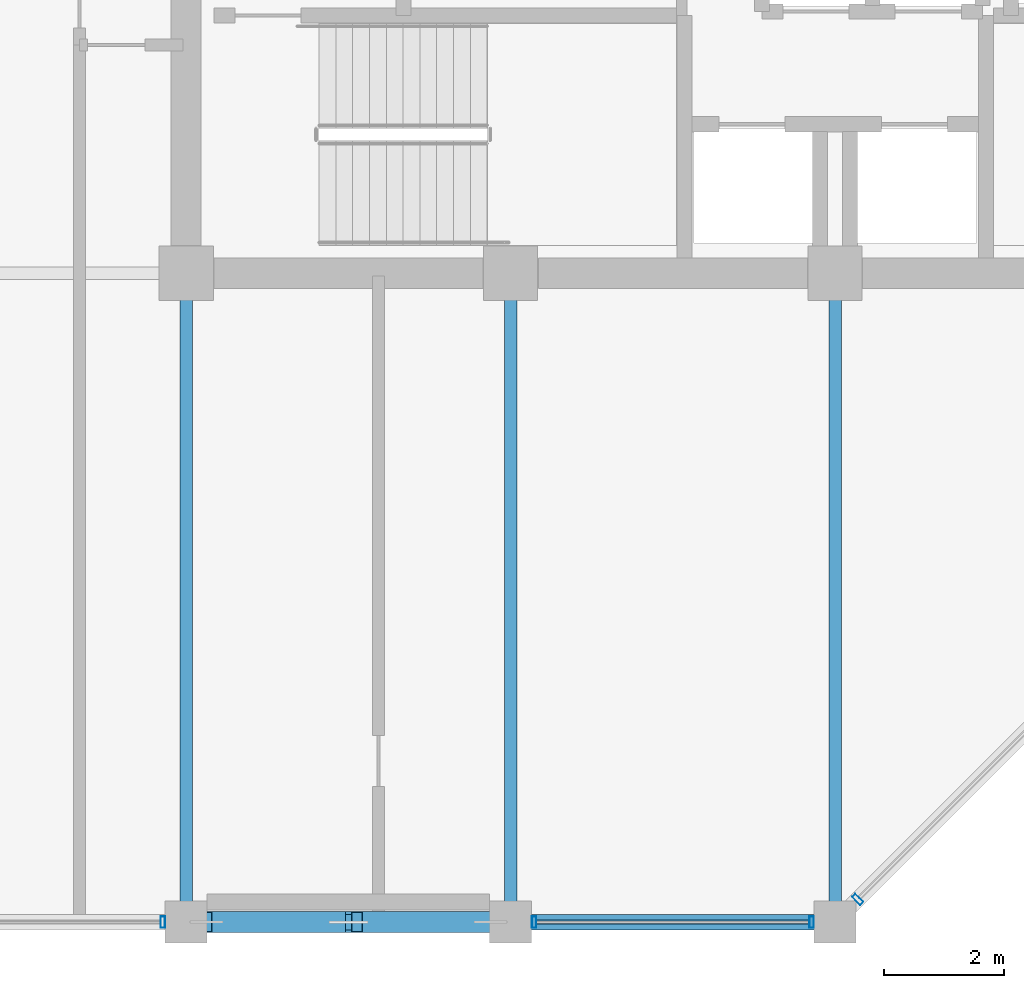
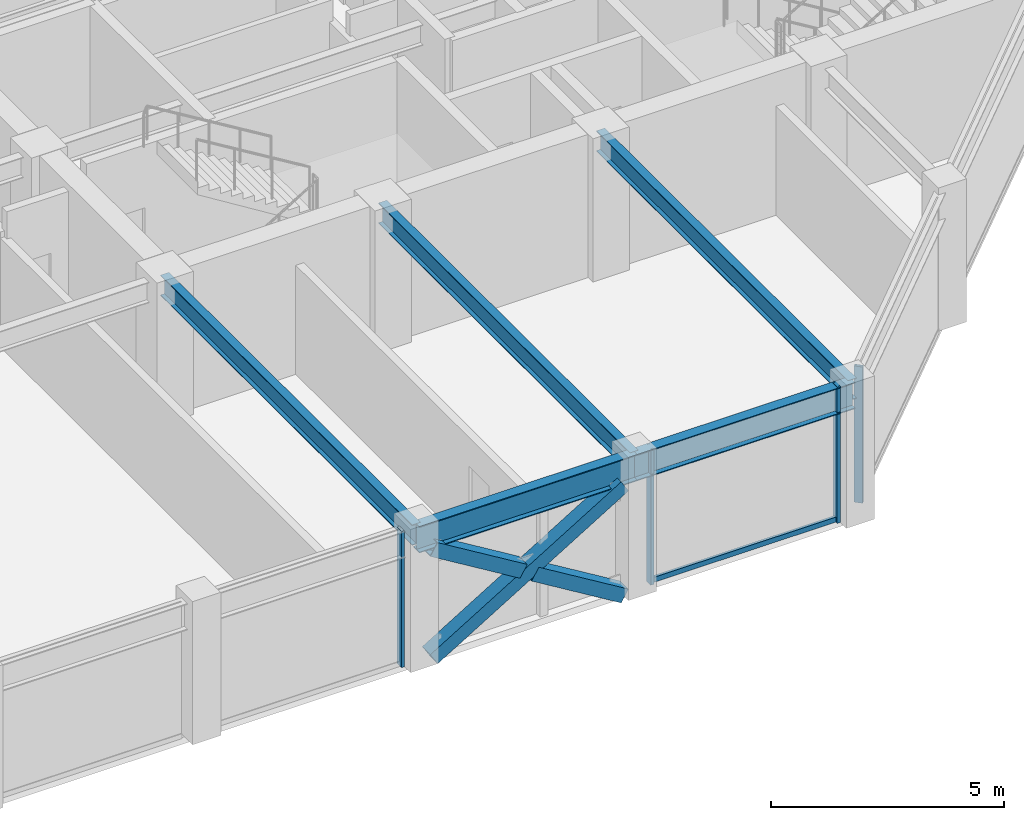
# One storey, part 4 of 31: 8 members, 5 beams, 3 elements without a shape of their own.
"""IFC4 building model written with IfcOpenShell, lengths in metres."""

import ifcopenshell
import ifcopenshell.guid

model = None  # the IFC model being written
_history = None  # IfcOwnerHistory: only IFC2X3 demands one
_inside = {}  # id of a spatial element -> (the spatial element, [elements in it])
_under = {}  # id of a project, library or spatial element -> (it, [spatial elements below it])
_declared = {}  # id of a project -> (the project, [libraries it declares])
_typed = {}  # id of a type object -> (the type object, [elements of that type])
_made_of = {}  # id of a material, layer set ... -> (it, [elements and type objects made of it])


def new_model(schema):
    """Start an empty IFC model of exactly this schema.

    Asked for "IFC4X3", IfcOpenShell would pick the latest addendum, in which some entities
    have other attributes; the version numbers below select the first issue.
    IFC2X3 requires an IfcOwnerHistory on every rooted entity: one is made here for all.
    """
    global model, _history
    if schema == "IFC4X3":
        model = ifcopenshell.file(schema_version=(4, 3, 0, 0))
    else:
        model = ifcopenshell.file(schema=schema)
    _inside.clear()
    _under.clear()
    _declared.clear()
    _typed.clear()
    _made_of.clear()
    _history = None
    if model.schema == "IFC2X3":
        org = make("IfcOrganization", Name="unknown")
        user = make(
            "IfcPersonAndOrganization",
            ThePerson=make("IfcPerson", FamilyName="unknown"),
            TheOrganization=org,
        )
        app = make(
            "IfcApplication",
            ApplicationDeveloper=org,
            Version="unknown",
            ApplicationFullName="unknown",
            ApplicationIdentifier="unknown",
        )
        _history = make(
            "IfcOwnerHistory",
            OwningUser=user,
            OwningApplication=app,
            ChangeAction="ADDED",
            CreationDate=0,
        )
    return model


def make(cls, **values):
    """One entity of the class cls with the attributes given. An attribute that is None is left unset."""
    return model.create_entity(
        cls, **{name: value for name, value in values.items() if value is not None}
    )


def rooted(cls, **values):
    """An entity with a GlobalId (a new one), such as an element, a storey or a relation."""
    return make(cls, GlobalId=ifcopenshell.guid.new(), OwnerHistory=_history, **values)


def si_unit(unit_type, name, prefix=None):
    """IfcSIUnit, for example si_unit("LENGTHUNIT", "METRE", prefix="MILLI")."""
    return make("IfcSIUnit", UnitType=unit_type, Prefix=prefix, Name=name)


def assignment(units):
    """IfcUnitAssignment: the units of a project."""
    return None if units is None else make("IfcUnitAssignment", Units=units)


def point(xyz):
    """IfcCartesianPoint."""
    return None if xyz is None else make("IfcCartesianPoint", Coordinates=xyz)


def direction(xyz):
    """IfcDirection."""
    return None if xyz is None else make("IfcDirection", DirectionRatios=xyz)


def frame(location, z_axis=None, x_axis=None):
    """IfcAxis2Placement3D, a coordinate frame: its origin and axes. An axis left out is left unset."""
    return make(
        "IfcAxis2Placement3D",
        Location=point(location),
        Axis=direction(z_axis),
        RefDirection=direction(x_axis),
    )


def frame_2d(location, x_axis=None):
    """IfcAxis2Placement2D, a coordinate frame in the plane: its origin and x axis."""
    return make(
        "IfcAxis2Placement2D", Location=point(location), RefDirection=direction(x_axis)
    )


def origin():
    """The frame at (0, 0, 0) with its axes left unset."""
    return frame((0.0, 0.0, 0.0))


def origin_2d():
    """The frame at (0, 0) in the plane with its x axis left unset."""
    return frame_2d((0.0, 0.0))


def place(relative_to, where):
    """IfcLocalPlacement: puts the frame where relative to a parent placement (None: the world)."""
    return make(
        "IfcLocalPlacement", PlacementRelTo=relative_to, RelativePlacement=where
    )


def context(
    kind, dimensions, precision=None, world=None, true_north=None, identifier=None
):
    """IfcGeometricRepresentationContext, for example the 3D "Model" context."""
    return make(
        "IfcGeometricRepresentationContext",
        ContextIdentifier=identifier,
        ContextType=kind,
        CoordinateSpaceDimension=dimensions,
        Precision=precision,
        WorldCoordinateSystem=world,
        TrueNorth=true_north,
    )


def subcontext(parent, identifier, kind, view, scale=None):
    """IfcGeometricRepresentationSubContext, for example "Body" below "Model"."""
    return make(
        "IfcGeometricRepresentationSubContext",
        ContextIdentifier=identifier,
        ContextType=kind,
        ParentContext=parent,
        TargetScale=scale,
        TargetView=view,
    )


def project(units=None, contexts=None):
    """IfcProject with its units and contexts."""
    return rooted(
        "IfcProject",
        Name="project",
        RepresentationContexts=contexts,
        UnitsInContext=assignment(units),
    )


def spatial(cls, under=None, at=None, **own):
    """A site, building, storey or space (cls), placed at a placement, below another one or the project."""
    s = rooted(cls, ObjectPlacement=at, **own)
    if under is not None:
        _under.setdefault(under.id(), (under, []))[1].append(s)
    return s


def profile(cls, at=None, kind="AREA", **sizes):
    """A parametric profile (cls). Its sizes go by their IFC names, for example OverallWidth=200.0."""
    return make(cls, ProfileType=kind, Position=at, **sizes)


def hollow_rectangle(**sizes):
    """IfcRectangleHollowProfileDef."""
    return profile("IfcRectangleHollowProfileDef", **sizes)


def i_section(**sizes):
    """IfcIShapeProfileDef."""
    return profile("IfcIShapeProfileDef", **sizes)


def extrude(swept, where, along, depth):
    """IfcExtrudedAreaSolid: the profile swept, set in the frame where, extruded along a direction by depth."""
    return make(
        "IfcExtrudedAreaSolid",
        SweptArea=swept,
        Position=where,
        ExtrudedDirection=direction(along),
        Depth=depth,
    )


def shape(context_of_items, identifier, shape_type, items):
    """IfcShapeRepresentation: the items that make up one representation, for example the "Body"."""
    return make(
        "IfcShapeRepresentation",
        ContextOfItems=context_of_items,
        RepresentationIdentifier=identifier,
        RepresentationType=shape_type,
        Items=items,
    )


def material(Name=None, Category=None):
    """IfcMaterial."""
    return make("IfcMaterial", Name=Name, Category=Category)


def layer(
    of_material, thickness, ventilated=None, Name=None, Category=None, Priority=None
):
    """IfcMaterialLayer: one layer of a wall or slab, of a material (None: an air gap)."""
    return make(
        "IfcMaterialLayer",
        Material=of_material,
        LayerThickness=thickness,
        IsVentilated=ventilated,
        Name=Name,
        Category=Category,
        Priority=Priority,
    )


def layer_set(layers, Name=None):
    """IfcMaterialLayerSet."""
    return make("IfcMaterialLayerSet", MaterialLayers=layers, LayerSetName=Name)


def material_profile(
    of_material, cross_section, Name=None, Category=None, Priority=None
):
    """IfcMaterialProfile: a cross section and its material."""
    return make(
        "IfcMaterialProfile",
        Name=Name,
        Material=of_material,
        Profile=cross_section,
        Priority=Priority,
        Category=Category,
    )


def profile_set(profiles, Name=None, composite=None):
    """IfcMaterialProfileSet."""
    return make(
        "IfcMaterialProfileSet",
        Name=Name,
        MaterialProfiles=profiles,
        CompositeProfile=composite,
    )


def made_of(thing, what):
    """Note that an element or type object is made of a material, layer set ...; save() writes the relation."""
    if what is not None:
        _made_of.setdefault(what.id(), (what, []))[1].append(thing)
    return thing


def type_object(cls, material=None, **own):
    """A type object (cls), such as IfcWallType, which elements share."""
    return made_of(rooted(cls, **own), material)


def element(
    cls,
    number,
    at=None,
    inside=None,
    cuts=None,
    type_object=None,
    material=None,
    context=None,
    identifier="Body",
    shape_type=None,
    held_by="IfcProductDefinitionShape",
    body=None,
    shapes=None,
    **own,
):
    """One element of the class cls, such as IfcWall. Its Tag is "e" and its number.

    at: its placement. inside: the storey or other place that contains it. cuts: it is an
    opening in that element (IfcRelVoidsElement). A single representation is given by context,
    identifier, shape_type and body (its items); several are given by shapes. held_by: the class
    of the entity that holds the representations. save() writes the other relations.
    """
    e = rooted(cls, Tag="e%d" % number, ObjectPlacement=at, **own)
    if body is not None:
        shapes = [shape(context, identifier, shape_type, body)]
    if shapes is not None:
        e.Representation = make(held_by, Representations=shapes)
    if inside is not None:
        _inside.setdefault(inside.id(), (inside, []))[1].append(e)
    if cuts is not None:
        rooted(
            "IfcRelVoidsElement", RelatingBuildingElement=cuts, RelatedOpeningElement=e
        )
    if type_object is not None:
        _typed.setdefault(type_object.id(), (type_object, []))[1].append(e)
    return made_of(e, material)


def aggregate(whole, parts):
    """IfcRelAggregates: a whole, such as a stair, and the parts it consists of."""
    return rooted("IfcRelAggregates", RelatingObject=whole, RelatedObjects=parts)


def save(model, path):
    """Write the relations noted so far, then the file.

    IfcRelAggregates (storeys below a building ...), IfcRelContainedInSpatialStructure (elements
    in a storey), IfcRelDefinesByType, IfcRelAssociatesMaterial and IfcRelDeclares: one each for
    every whole, place, type object, material and project.
    """
    for whole, parts in _under.values():
        aggregate(whole, parts)
    for where, things in _inside.values():
        rooted(
            "IfcRelContainedInSpatialStructure",
            RelatedElements=things,
            RelatingStructure=where,
        )
    for kind, things in _typed.values():
        rooted("IfcRelDefinesByType", RelatedObjects=things, RelatingType=kind)
    for what, things in _made_of.values():
        rooted("IfcRelAssociatesMaterial", RelatedObjects=things, RelatingMaterial=what)
    for by, libraries in _declared.values():
        rooted("IfcRelDeclares", RelatingContext=by, RelatedDefinitions=libraries)
    model.write(path)


model = new_model("IFC4")

# Units and contexts
model_context = context("Model", 3, precision=1e-05, world=origin(), true_north=direction((0.0, 1.0)))
body_context = subcontext(model_context, "Body", "Model", "MODEL_VIEW")
ifc_project = project(units=[si_unit("LENGTHUNIT", "METRE"), si_unit("AREAUNIT", "SQUARE_METRE"), si_unit("VOLUMEUNIT", "CUBIC_METRE"), si_unit("PLANEANGLEUNIT", "RADIAN"), si_unit("MASSUNIT", "GRAM", prefix="KILO")], contexts=[model_context])

# Site, building, storey
site_placement = place(None, origin())
site = spatial("IfcSite", under=ifc_project, at=site_placement, CompositionType="ELEMENT")
building_placement = place(site_placement, origin())
building = spatial("IfcBuilding", under=site, at=building_placement, Name="Surkhivell Harbour Commons", CompositionType="ELEMENT")
storey_placement = place(building_placement, frame((0.0, 0.0, 322.5)))
storey = spatial("IfcBuildingStorey", under=building, at=storey_placement, Name="L84", CompositionType="ELEMENT", Elevation=322.5)

# Beams
ifc_material_1 = material(Name="Steel S355", Category="steel")
ifc_material_profile_1 = material_profile(ifc_material_1, i_section(OverallWidth=0.2099609375, OverallDepth=0.537109375, WebThickness=0.0107421875, FlangeThickness=0.017333984375, at=origin_2d()), Name="UB533x210x101")
ifc_profile_set_1 = profile_set([ifc_material_profile_1], Name="Steel S355")
beam_type_1 = type_object("IfcBeamType", Name="BM-GRD-533B", PredefinedType="BEAM", material=ifc_profile_set_1)
for number, where, z_axis, x_axis, name in (
    (1, (-10.800048828125, -21.60009765625, 3.301513671875), (0.0, 1.0, 0.0), (-1.0, 0.0, 0.0), "L84 Floor Girder (-10.8,-21.6)"),
    (2, (-5.39990234375, -21.60009765625, 3.301513671875), (0.0, 1.0, 0.0), (-1.0, 0.0, 0.0), "L84 Floor Girder (-5.4,-21.6)"),
    (3, (0.0, -21.60009765625, 3.301513671875), (0.0, 1.0, 0.0), (-1.0, 0.0, 0.0), "L84 Floor Girder (0.0,-21.6)"),
):
    element("IfcBeam", number, at=place(storey_placement, frame(where, z_axis=z_axis, x_axis=x_axis)), inside=storey, type_object=beam_type_1, Name=name, PredefinedType="BEAM", context=body_context, shape_type="SweptSolid", body=[
        extrude(i_section(OverallWidth=0.2099609375, OverallDepth=0.537109375, WebThickness=0.0107421875, FlangeThickness=0.017333984375, at=origin_2d()), origin(), (0.0, 0.0, 1.0), 10.800048828125),
    ])
ifc_material_profile_2 = material_profile(ifc_material_1, i_section(OverallWidth=0.256103515625, OverallDepth=0.693115234375, WebThickness=0.014404296875, FlangeThickness=0.023681640625, at=origin_2d()), Name="UB686x254x170")
ifc_profile_set_2 = profile_set([ifc_material_profile_2], Name="Steel S355")
beam_type_2 = type_object("IfcBeamType", Name="BM-SPN-686", PredefinedType="SPANDREL", material=ifc_profile_set_2)
beam_1_placement = place(storey_placement, frame((-10.800048828125, -21.60009765625, 3.223388671875), z_axis=(1.0, 0.0, 0.0), x_axis=(0.0, 1.0, 0.0)))
element("IfcBeam", 4, at=beam_1_placement, inside=storey, type_object=beam_type_2, Name="L84 Tube Spandrel (-10.8,-21.6)", PredefinedType="SPANDREL", context=body_context, shape_type="SweptSolid", body=[
    extrude(i_section(OverallWidth=0.256103515625, OverallDepth=0.693115234375, WebThickness=0.014404296875, FlangeThickness=0.023681640625, at=origin_2d()), origin(), (0.0, 0.0, 1.0), 5.400146484375),
])
beam_2_placement = place(storey_placement, frame((-5.39990234375, -21.60009765625, 3.223388671875), z_axis=(1.0, 0.0, 0.0), x_axis=(0.0, 1.0, 0.0)))
element("IfcBeam", 5, at=beam_2_placement, inside=storey, type_object=beam_type_2, Name="L84 Tube Spandrel (-5.4,-21.6)", PredefinedType="SPANDREL", context=body_context, shape_type="SweptSolid", body=[
    extrude(i_section(OverallWidth=0.256103515625, OverallDepth=0.693115234375, WebThickness=0.014404296875, FlangeThickness=0.023681640625, at=origin_2d()), origin(), (0.0, 0.0, 1.0), 5.39990234375),
])

# Curtain wall, member
ifc_material_2 = material(Name="Anodised pale-metal aluminium and insulated glazing", Category="aluminium")
ifc_layer = layer(ifc_material_2, 0.175048828125)
ifc_layer_set = layer_set([ifc_layer], Name="Anodised pale-metal aluminium and insulated glazing")
curtain_wall_type = type_object("IfcCurtainWallType", Name="CW-SYS-Z4", PredefinedType="NOTDEFINED", material=ifc_layer_set)
curtain_wall_1_placement = place(storey_placement, origin())
curtain_wall_1 = element("IfcCurtainWall", 6, at=curtain_wall_1_placement, inside=storey, type_object=curtain_wall_type, Name="L84 Curtain Wall CW-L84-E00S1", PredefinedType="NOTDEFINED")
ifc_material_3 = material(Name="Anodised pale-metal aluminium alloy 6063-T6", Category="aluminium")
ifc_material_profile_3 = material_profile(ifc_material_3, hollow_rectangle(XDim=0.074951171875, YDim=0.18994140625, WallThickness=0.00390625, at=origin_2d()), Name="ALU-MULL-75x190")
ifc_profile_set_3 = profile_set([ifc_material_profile_3], Name="Anodised pale-metal aluminium alloy 6063-T6")
member_type_1 = type_object("IfcMemberType", Name="CWM-190", PredefinedType="MULLION", material=ifc_profile_set_3)
member_1_placement = place(storey_placement, frame((-11.189453125, -21.60009765625, 0.0), z_axis=(0.0, 0.0, 1.0), x_axis=(1.0, 0.0, 0.0)))
member_1 = element("IfcMember", 7, at=member_1_placement, type_object=member_type_1, Name="CW-Z4 mullion 3", PredefinedType="MULLION", context=body_context, shape_type="SweptSolid", body=[
    extrude(hollow_rectangle(XDim=0.074951171875, YDim=0.18994140625, WallThickness=0.00390625, at=origin_2d()), origin(), (0.0, 0.0, 1.0), 3.570068359375),
])
aggregate(curtain_wall_1, [member_1])

# Curtain wall, members
curtain_wall_2_placement = place(storey_placement, origin())
curtain_wall_2 = element("IfcCurtainWall", 8, at=curtain_wall_2_placement, inside=storey, type_object=curtain_wall_type, Name="L84 Curtain Wall CW-L84-E00S2", PredefinedType="NOTDEFINED")
member_2_placement = place(storey_placement, frame((-5.010498046875, -21.60009765625, 0.0), z_axis=(0.0, 0.0, 1.0), x_axis=(1.0, 0.0, 0.0)))
member_2 = element("IfcMember", 9, at=member_2_placement, type_object=member_type_1, Name="CW-Z4 mullion 1", PredefinedType="MULLION", context=body_context, shape_type="SweptSolid", body=[
    extrude(hollow_rectangle(XDim=0.074951171875, YDim=0.18994140625, WallThickness=0.00390625, at=origin_2d()), origin(), (0.0, 0.0, 1.0), 3.570068359375),
])
member_3_placement = place(storey_placement, frame((-0.389404296875, -21.60009765625, 0.0), z_axis=(0.0, 0.0, 1.0), x_axis=(1.0, 0.0, 0.0)))
member_3 = element("IfcMember", 10, at=member_3_placement, type_object=member_type_1, Name="CW-Z4 mullion 2", PredefinedType="MULLION", context=body_context, shape_type="SweptSolid", body=[
    extrude(hollow_rectangle(XDim=0.074951171875, YDim=0.18994140625, WallThickness=0.00390625, at=origin_2d()), origin(), (0.0, 0.0, 1.0), 3.570068359375),
])

# Curtain wall, member
curtain_wall_3_placement = place(storey_placement, origin())
curtain_wall_3 = element("IfcCurtainWall", 11, at=curtain_wall_3_placement, inside=storey, type_object=curtain_wall_type, Name="L84 Curtain Wall CW-L84-E01", PredefinedType="NOTDEFINED")
member_4_placement = place(storey_placement, frame((0.378173828125, -21.221923828125, 0.0), z_axis=(0.0, 0.0, 1.0), x_axis=(0.707106781187, 0.707106781187, 0.0)))
member_4 = element("IfcMember", 12, at=member_4_placement, type_object=member_type_1, Name="CW-Z4 mullion 1", PredefinedType="MULLION", context=body_context, shape_type="SweptSolid", body=[
    extrude(hollow_rectangle(XDim=0.074951171875, YDim=0.18994140625, WallThickness=0.00390625, at=origin_2d()), origin(), (0.0, 0.0, 1.0), 3.570068359375),
])
aggregate(curtain_wall_3, [member_4])

# Member
ifc_material_4 = material(Name="Champagne anodised aluminium alloy 6063-T6", Category="aluminium")
ifc_material_profile_4 = material_profile(ifc_material_4, hollow_rectangle(XDim=0.070068359375, YDim=0.1298828125, WallThickness=0.00341796875, at=origin_2d()), Name="ALU-TRAN-70x130")
ifc_profile_set_4 = profile_set([ifc_material_profile_4], Name="Champagne anodised aluminium alloy 6063-T6")
member_type_2 = type_object("IfcMemberType", Name="CWT-130", PredefinedType="USERDEFINED", material=ifc_profile_set_4)
member_5_placement = place(storey_placement, frame((-4.972900390625, -21.60009765625, 0.06494140625), z_axis=(1.0, 0.0, 0.0), x_axis=(0.0, 1.0, 0.0)))
member_5 = element("IfcMember", 13, at=member_5_placement, type_object=member_type_2, Name="CW-Z4 transom 1.1", ObjectType="TRANSOM", PredefinedType="USERDEFINED", context=body_context, shape_type="SweptSolid", body=[
    extrude(hollow_rectangle(XDim=0.070068359375, YDim=0.1298828125, WallThickness=0.00341796875, at=origin_2d()), origin(), (0.0, 0.0, 1.0), 4.5458984375),
])

aggregate(curtain_wall_2, [member_2, member_3, member_5])

# Members
ifc_material_profile_5 = material_profile(ifc_material_1, hollow_rectangle(XDim=0.35009765625, YDim=0.35009765625, WallThickness=0.01611328125, at=origin_2d()), Name="SHS350x350x16")
ifc_profile_set_5 = profile_set([ifc_material_profile_5], Name="Steel S355")
member_type_3 = type_object("IfcMemberType", Name="MEM-BRC-SHS350", PredefinedType="BRACE", material=ifc_profile_set_5)
member_6_placement = place(storey_placement, frame((-10.465087890625, -21.60009765625, 0.008056640625), z_axis=(0.854685454322, 0.0, 0.519146197299), x_axis=(0.0, 1.0, 0.0)))
element("IfcMember", 14, at=member_6_placement, inside=storey, type_object=member_type_3, Name="L84 Perimeter Mega-Brace MB- 07", PredefinedType="BRACE", context=body_context, shape_type="SweptSolid", body=[
    extrude(hollow_rectangle(XDim=0.35009765625, YDim=0.35009765625, WallThickness=0.01611328125, at=origin_2d()), origin(), (0.0, 0.0, 1.0), 5.5341796875),
])
member_7_placement = place(storey_placement, frame((-5.735107421875, -21.60009765625, 0.008056640625), z_axis=(-0.854653538862, 0.0, 0.519198737007), x_axis=(0.0, -1.0, 0.0)))
element("IfcMember", 15, at=member_7_placement, inside=storey, type_object=member_type_3, Name="L84 Perimeter Mega-Brace MB- 08", PredefinedType="BRACE", context=body_context, shape_type="SweptSolid", body=[
    extrude(hollow_rectangle(XDim=0.35009765625, YDim=0.35009765625, WallThickness=0.01611328125, at=origin_2d()), origin(), (0.0, 0.0, 1.0), 2.598876953125),
])
member_8_placement = place(storey_placement, frame((-8.24365234375, -21.60009765625, 1.53173828125), z_axis=(-0.854678858595, 0.0, 0.51915705588), x_axis=(0.0, -1.0, 0.0)))
element("IfcMember", 16, at=member_8_placement, inside=storey, type_object=member_type_3, Name="L84 Perimeter Mega-Brace MB- 09", PredefinedType="BRACE", context=body_context, shape_type="SweptSolid", body=[
    extrude(hollow_rectangle(XDim=0.35009765625, YDim=0.35009765625, WallThickness=0.01611328125, at=origin_2d()), origin(), (0.0, 0.0, 1.0), 2.59912109375),
])

save(model, "model.ifc")
